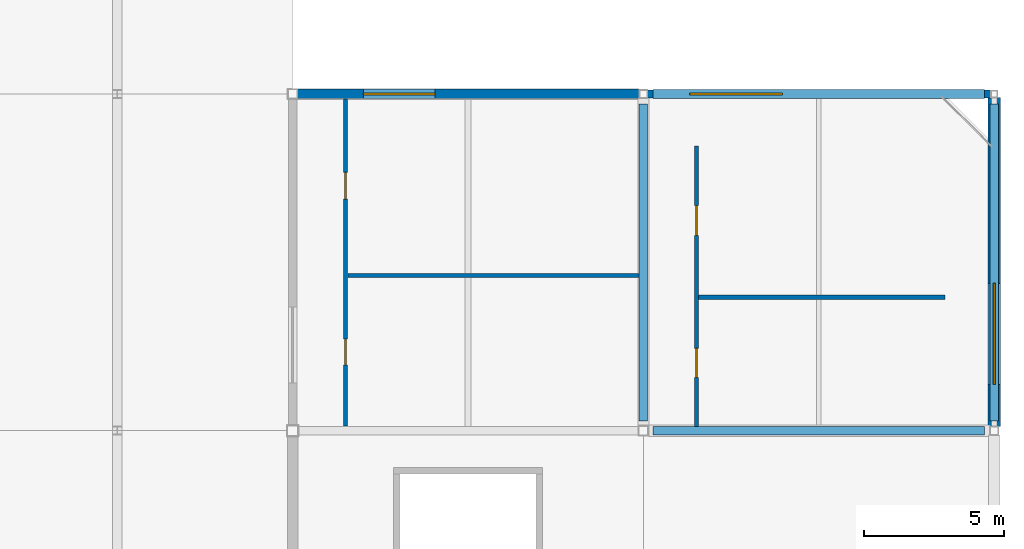
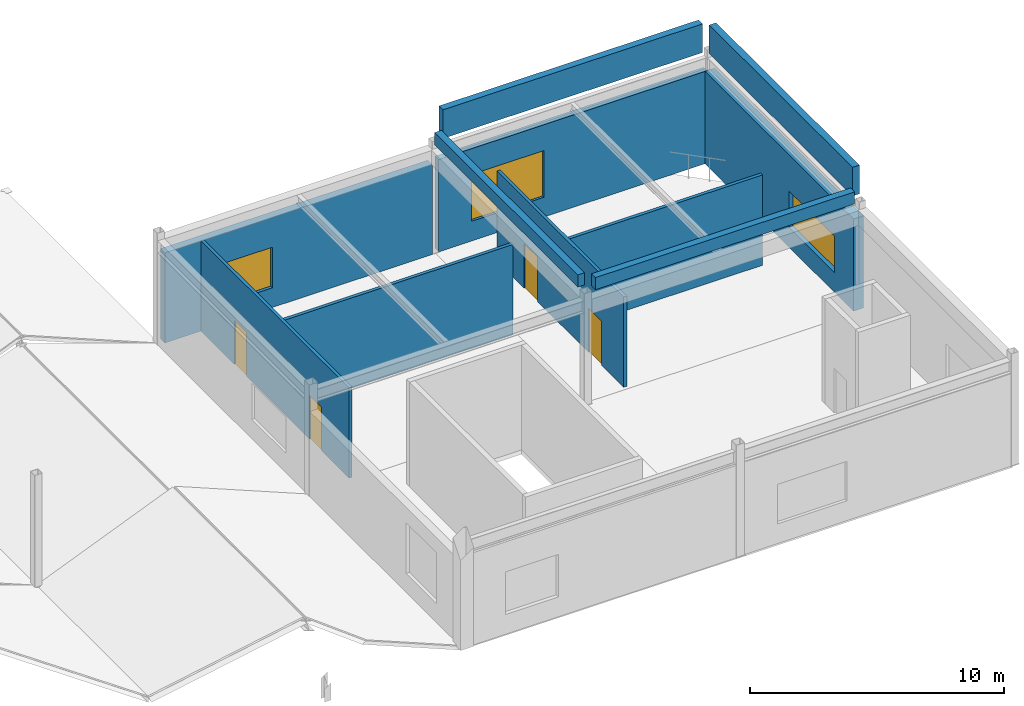
# One storey, part 72 of 76: 11 walls, 4 doors, 3 windows, 7 openings.
"""IFC4 building model written with IfcOpenShell, lengths in metres."""

from ifc_helpers import new_model, si_unit, direction, frame, frame_2d, origin, place, context, subcontext, project, spatial, rectangle, extrude, material, layer, layer_set, type_object, element, fill, save


model = new_model("IFC4")

# Units and contexts
model_context = context("Model", 3, precision=1e-05, world=origin(), true_north=direction((0.0, 1.0)))
body_context = subcontext(model_context, "Body", "Model", "MODEL_VIEW")
ifc_project = project(units=[si_unit("LENGTHUNIT", "METRE"), si_unit("AREAUNIT", "SQUARE_METRE"), si_unit("VOLUMEUNIT", "CUBIC_METRE"), si_unit("PLANEANGLEUNIT", "RADIAN"), si_unit("MASSUNIT", "GRAM", prefix="KILO")], contexts=[model_context])

# Site, building, storey
site_placement = place(None, origin())
site = spatial("IfcSite", under=ifc_project, at=site_placement, CompositionType="ELEMENT")
building_placement = place(site_placement, origin())
building = spatial("IfcBuilding", under=site, at=building_placement, Name="Kazenohara Klinker Stadium", CompositionType="ELEMENT")
storey_placement = place(building_placement, frame((0.0, 0.0, 25.800048828125)))
storey = spatial("IfcBuildingStorey", under=building, at=storey_placement, Name="L05", CompositionType="ELEMENT", Elevation=25.800048828125)

# Wall, opening, window
ifc_material_1 = material(Name="Clinker brick masonry", Category="masonry")
ifc_layer_1 = layer(ifc_material_1, 0.280029296875)
ifc_layer_set_1 = layer_set([ifc_layer_1], Name="Clinker brick masonry")
wall_type_1 = type_object("IfcWallType", Name="WAL-EXT-CB280", PredefinedType="SOLIDWALL", material=ifc_layer_set_1)
wall_1_placement = place(storey_placement, frame((187.654052734375, 156.0, 0.0), z_axis=(0.0, 0.0, 1.0), x_axis=(1.0, 0.0, 0.0)))
wall_1 = element("IfcWall", 1, at=wall_1_placement, inside=storey, type_object=wall_type_1, Name="Clinker brick cavity wall EW06 L05 X15-13", PredefinedType="SOLIDWALL", context=body_context, shape_type="SweptSolid", body=[
    extrude(rectangle(XDim=12.217041015625, YDim=0.280029296875, at=frame_2d((6.1083984375, 0.0))), origin(), (0.0, 0.0, 1.0), 4.43994140625),
])
opening_1_placement = place(wall_1_placement, frame((1.5, 0.0, 0.949951171875)))
opening_1 = element("IfcOpeningElement", 2, at=opening_1_placement, cuts=wall_1, Name="Opening W34", PredefinedType="OPENING", context=body_context, shape_type="SweptSolid", body=[
    extrude(rectangle(XDim=3.300048828125, YDim=2.25, at=frame_2d((1.64990234375, 1.125))), frame((0.0, 0.14990234375, 0.0), z_axis=(0.0, -1.0, 0.0), x_axis=(1.0, 0.0, 0.0)), (0.0, 0.0, 1.0), 0.300048828125),
])
ifc_material_2 = material(Name="Dark bronze aluminium frame and triple glazing", Category="aluminium")
window_type_1 = type_object("IfcWindowType", Name="WIN-AS-34", PartitioningType="SINGLE_PANEL", PredefinedType="WINDOW", material=ifc_material_2)
window_1_placement = place(opening_1_placement, origin())
window_1 = element("IfcWindow", 3, at=window_1_placement, inside=storey, type_object=window_type_1, Name="Horizontal-mullion ladder window W34 L05 X15-13", OverallHeight=2.25, OverallWidth=3.300048828125, PartitioningType="SINGLE_PANEL", PredefinedType="WINDOW", context=body_context, shape_type="SweptSolid", body=[
    extrude(rectangle(XDim=3.300048828125, YDim=2.25, at=frame_2d((1.64990234375, 1.125))), frame((0.0, 0.030029296875, 0.0), z_axis=(0.0, -1.0, 0.0), x_axis=(1.0, 0.0, 0.0)), (0.0, 0.0, 1.0), 0.06005859375),
])
fill(opening_1, window_1)

# Walls
ifc_layer_2 = layer(ifc_material_1, 0.31005859375)
ifc_layer_set_2 = layer_set([ifc_layer_2], Name="Clinker brick masonry")
wall_type_2 = type_object("IfcWallType", Name="WAL-EXT-CB310", PredefinedType="SOLIDWALL", material=ifc_layer_set_2)
wall_2_placement = place(storey_placement, frame((187.85009765625, 144.0, 5.39990234375), z_axis=(0.0, 0.0, 1.0), x_axis=(1.0, 0.0, 0.0)))
element("IfcWall", 4, at=wall_2_placement, inside=storey, type_object=wall_type_2, Name="Turret crown klinker wall EW05 GT3-NE-S", PredefinedType="SOLIDWALL", context=body_context, shape_type="SweptSolid", body=[
    extrude(rectangle(XDim=11.7998046875, YDim=0.31005859375, at=frame_2d((5.89990234375, 0.0))), origin(), (0.0, 0.0, 1.0), 0.580078125),
])
wall_3_placement = place(storey_placement, frame((187.85009765625, 156.0, 5.39990234375), z_axis=(0.0, 0.0, 1.0), x_axis=(1.0, 0.0, 0.0)))
element("IfcWall", 5, at=wall_3_placement, inside=storey, type_object=wall_type_2, Name="Turret crown klinker wall EW05 GT3-NE-N", PredefinedType="SOLIDWALL", context=body_context, shape_type="SweptSolid", body=[
    extrude(rectangle(XDim=11.7998046875, YDim=0.31005859375, at=frame_2d((5.89990234375, 0.0))), origin(), (0.0, 0.0, 1.0), 1.380126953125),
])
wall_4_placement = place(storey_placement, frame((187.5, 144.35009765625, 5.39990234375), z_axis=(0.0, 0.0, 1.0), x_axis=(0.0, 1.0, 0.0)))
element("IfcWall", 6, at=wall_4_placement, inside=storey, type_object=wall_type_2, Name="Turret crown klinker wall EW05 GT3-NE-W", PredefinedType="SOLIDWALL", context=body_context, shape_type="SweptSolid", body=[
    extrude(rectangle(XDim=11.2998046875, YDim=0.31005859375, at=frame_2d((5.64990234375, 0.0))), origin(), (0.0, 0.0, 1.0), 0.580078125),
])
wall_5_placement = place(storey_placement, frame((200.0, 144.35009765625, 5.39990234375), z_axis=(0.0, 0.0, 1.0), x_axis=(0.0, 1.0, 0.0)))
element("IfcWall", 7, at=wall_5_placement, inside=storey, type_object=wall_type_2, Name="Turret crown klinker wall EW05 GT3-NE-E", PredefinedType="SOLIDWALL", context=body_context, shape_type="SweptSolid", body=[
    extrude(rectangle(XDim=11.2998046875, YDim=0.31005859375, at=frame_2d((5.64990234375, 0.0))), origin(), (0.0, 0.0, 1.0), 1.380126953125),
])

# Wall, opening, window
ifc_layer_3 = layer(ifc_material_1, 0.340087890625)
ifc_layer_set_3 = layer_set([ifc_layer_3], Name="Clinker brick masonry")
wall_type_3 = type_object("IfcWallType", Name="WAL-EXT-CB340", PredefinedType="SOLIDWALL", material=ifc_layer_set_3)
wall_6_placement = place(storey_placement, frame((175.178955078125, 156.0, 0.0), z_axis=(0.0, 0.0, 1.0), x_axis=(1.0, 0.0, 0.0)))
wall_6 = element("IfcWall", 8, at=wall_6_placement, inside=storey, type_object=wall_type_3, Name="Clinker brick cavity wall EW04 L05 X14-13", PredefinedType="SOLIDWALL", context=body_context, shape_type="SweptSolid", body=[
    extrude(rectangle(XDim=12.1669921875, YDim=0.340087890625, at=frame_2d((6.08349609375, 0.0))), origin(), (0.0, 0.0, 1.0), 4.33984375),
])
opening_2_placement = place(wall_6_placement, frame((2.341064453125, 0.0, 0.949951171875)))
opening_2 = element("IfcOpeningElement", 9, at=opening_2_placement, cuts=wall_6, Name="Opening W26", PredefinedType="OPENING", context=body_context, shape_type="SweptSolid", body=[
    extrude(rectangle(XDim=2.550048828125, YDim=1.949951171875, at=frame_2d((1.27490234375, 0.97509765625))), frame((0.0, 0.18017578125, 0.0), z_axis=(0.0, -1.0, 0.0), x_axis=(1.0, 0.0, 0.0)), (0.0, 0.0, 1.0), 0.360107421875),
])
window_type_2 = type_object("IfcWindowType", Name="WIN-AS-26", PartitioningType="SINGLE_PANEL", PredefinedType="WINDOW", material=ifc_material_2)
window_2_placement = place(opening_2_placement, origin())
window_2 = element("IfcWindow", 10, at=window_2_placement, inside=storey, type_object=window_type_2, Name="Horizontal-mullion ladder window W26 L05 X14-13", OverallHeight=1.949951171875, OverallWidth=2.550048828125, PartitioningType="SINGLE_PANEL", PredefinedType="WINDOW", context=body_context, shape_type="SweptSolid", body=[
    extrude(rectangle(XDim=2.550048828125, YDim=1.949951171875, at=frame_2d((1.27490234375, 0.97509765625))), frame((0.0, 0.030029296875, 0.0), z_axis=(0.0, -1.0, 0.0), x_axis=(1.0, 0.0, 0.0)), (0.0, 0.0, 1.0), 0.06005859375),
])
fill(opening_2, window_2)

ifc_layer_4 = layer(ifc_material_1, 0.449951171875)
ifc_layer_set_4 = layer_set([ifc_layer_4], Name="Clinker brick masonry")
wall_type_4 = type_object("IfcWallType", Name="WAL-EXT-CB450", PredefinedType="SOLIDWALL", material=ifc_layer_set_4)
wall_7_placement = place(storey_placement, frame((200.0, 144.154052734375, 0.0), z_axis=(0.0, 0.0, 1.0), x_axis=(0.0, 1.0, 0.0)))
wall_7 = element("IfcWall", 11, at=wall_7_placement, inside=storey, type_object=wall_type_4, Name="Clinker brick cavity wall EW01 L05 Y16-12", PredefinedType="SOLIDWALL", context=body_context, shape_type="SweptSolid", body=[
    extrude(rectangle(XDim=11.717041015625, YDim=0.449951171875, at=frame_2d((5.8583984375, 0.0))), origin(), (0.0, 0.0, 1.0), 4.43994140625),
])
opening_3_placement = place(wall_7_placement, frame((1.5, 0.0, 0.949951171875)))
opening_3 = element("IfcOpeningElement", 12, at=opening_3_placement, cuts=wall_7, Name="Opening W35", PredefinedType="OPENING", context=body_context, shape_type="SweptSolid", body=[
    extrude(rectangle(XDim=3.60009765625, YDim=1.75, at=frame_2d((1.800048828125, 0.875))), frame((0.0, 0.23486328125, 0.0), z_axis=(0.0, -1.0, 0.0), x_axis=(1.0, 0.0, 0.0)), (0.0, 0.0, 1.0), 0.469970703125),
])
window_type_3 = type_object("IfcWindowType", Name="WIN-AS-35", PartitioningType="SINGLE_PANEL", PredefinedType="WINDOW", material=ifc_material_2)
window_3_placement = place(opening_3_placement, origin())
window_3 = element("IfcWindow", 13, at=window_3_placement, inside=storey, type_object=window_type_3, Name="Horizontal-mullion ladder window W35 L05 Y16-12", OverallHeight=1.75, OverallWidth=3.60009765625, PartitioningType="SINGLE_PANEL", PredefinedType="WINDOW", context=body_context, shape_type="SweptSolid", body=[
    extrude(rectangle(XDim=3.60009765625, YDim=1.75, at=frame_2d((1.800048828125, 0.875))), frame((0.0, 0.030029296875, 0.0), z_axis=(0.0, -1.0, 0.0), x_axis=(1.0, 0.0, 0.0)), (0.0, 0.0, 1.0), 0.06005859375),
])
fill(opening_3, window_3)

# Wall, openings, doors
ifc_material_3 = material(Name="Fire-rated gypsum board on acoustic studs", Category="gypsum")
ifc_layer_5 = layer(ifc_material_3, 0.139892578125)
ifc_layer_set_5 = layer_set([ifc_layer_5], Name="Fire-rated gypsum board on acoustic studs")
wall_type_5 = type_object("IfcWallType", Name="WAL-INT-P140", PredefinedType="PARTITIONING", material=ifc_layer_set_5)
wall_8_placement = place(storey_placement, frame((176.889892578125, 144.159912109375, 0.0), z_axis=(0.0, 0.0, 1.0), x_axis=(0.0, 1.0, 0.0)))
wall_8 = element("IfcWall", 14, at=wall_8_placement, inside=storey, type_object=wall_type_5, Name="Interior partition wall PT03 SPC-L05-14-12-1-1", PredefinedType="PARTITIONING", context=body_context, shape_type="SweptSolid", body=[
    extrude(rectangle(XDim=11.66796875, YDim=0.139892578125, at=frame_2d((5.833984375, 0.0))), origin(), (0.0, 0.0, 1.0), 4.349853515625),
])
opening_4_placement = place(wall_8_placement, frame((3.106201171875, 0.0, 0.0), z_axis=(0.0, 0.0, 1.0), x_axis=(-1.0, 0.0, 0.0)))
opening_4 = element("IfcOpeningElement", 15, at=opening_4_placement, cuts=wall_8, Name="Opening ID02", PredefinedType="OPENING", context=body_context, shape_type="SweptSolid", body=[
    extrude(rectangle(XDim=0.919921875, YDim=2.10009765625, at=frame_2d((0.4599609375, 1.050048828125))), frame((0.0, 0.080078125, 0.0), z_axis=(0.0, -1.0, 0.0), x_axis=(1.0, 0.0, 0.0)), (0.0, 0.0, 1.0), 0.159912109375),
])
opening_5_placement = place(wall_8_placement, frame((9.041259765625, 0.0, 0.0), z_axis=(0.0, 0.0, 1.0), x_axis=(-1.0, 0.0, 0.0)))
opening_5 = element("IfcOpeningElement", 16, at=opening_5_placement, cuts=wall_8, Name="Opening ID03", PredefinedType="OPENING", context=body_context, shape_type="SweptSolid", body=[
    extrude(rectangle(XDim=0.949951171875, YDim=2.1201171875, at=frame_2d((0.47509765625, 1.06005859375))), frame((0.0, 0.080078125, 0.0), z_axis=(0.0, -1.0, 0.0), x_axis=(1.0, 0.0, 0.0)), (0.0, 0.0, 1.0), 0.159912109375),
])
ifc_material_4 = material(Name="Solid-core Hokkaido oak fire door", Category="wood")
door_type_1 = type_object("IfcDoorType", Name="DR-INT-02", OperationType="NOTDEFINED", PredefinedType="DOOR", material=ifc_material_4)
door_1_placement = place(opening_4_placement, origin())
door_1 = element("IfcDoor", 17, at=door_1_placement, inside=storey, type_object=door_type_1, Name="Interior door ID02 North Scoreboard Video Control Studio L05-1412A", OperationType="SINGLE_SWING_LEFT", OverallHeight=2.10009765625, OverallWidth=0.919921875, PredefinedType="DOOR", context=body_context, shape_type="SweptSolid", body=[
    extrude(rectangle(XDim=0.919921875, YDim=2.10009765625, at=frame_2d((0.4599609375, 1.050048828125))), frame((0.0, 0.02490234375, 0.0), z_axis=(0.0, -1.0, 0.0), x_axis=(1.0, 0.0, 0.0)), (0.0, 0.0, 1.0), 0.050048828125),
])
fill(opening_4, door_1)
door_type_2 = type_object("IfcDoorType", Name="DR-INT-03", OperationType="NOTDEFINED", PredefinedType="DOOR", material=ifc_material_4)
door_2_placement = place(opening_5_placement, origin())
door_2 = element("IfcDoor", 18, at=door_2_placement, inside=storey, type_object=door_type_2, Name="Interior door ID03 Photographer Fibre Uplink Media Studio L05-1412B", OperationType="SINGLE_SWING_RIGHT", OverallHeight=2.1201171875, OverallWidth=0.949951171875, PredefinedType="DOOR", context=body_context, shape_type="SweptSolid", body=[
    extrude(rectangle(XDim=0.949951171875, YDim=2.1201171875, at=frame_2d((0.47509765625, 1.06005859375))), frame((0.0, 0.02490234375, 0.0), z_axis=(0.0, -1.0, 0.0), x_axis=(1.0, 0.0, 0.0)), (0.0, 0.0, 1.0), 0.050048828125),
])
fill(opening_5, door_2)

wall_9_placement = place(storey_placement, frame((189.389892578125, 144.156982421875, 0.0), z_axis=(0.0, 0.0, 1.0), x_axis=(0.0, 1.0, 0.0)))
wall_9 = element("IfcWall", 19, at=wall_9_placement, inside=storey, type_object=wall_type_5, Name="Interior partition wall PT03 SPC-L05-15-12-1-1", PredefinedType="PARTITIONING", context=body_context, shape_type="SweptSolid", body=[
    extrude(rectangle(XDim=9.992919921875, YDim=0.139892578125, at=frame_2d((4.99658203125, 0.0))), origin(), (0.0, 0.0, 1.0), 4.349853515625),
])
opening_6_placement = place(wall_9_placement, frame((2.775634765625, 0.0, 0.0), z_axis=(0.0, 0.0, 1.0), x_axis=(-1.0, 0.0, 0.0)))
opening_6 = element("IfcOpeningElement", 20, at=opening_6_placement, cuts=wall_9, Name="Opening ID06", PredefinedType="OPENING", context=body_context, shape_type="SweptSolid", body=[
    extrude(rectangle(XDim=1.030029296875, YDim=2.1201171875, at=frame_2d((0.51513671875, 1.06005859375))), frame((0.0, 0.080078125, 0.0), z_axis=(0.0, -1.0, 0.0), x_axis=(1.0, 0.0, 0.0)), (0.0, 0.0, 1.0), 0.159912109375),
])
opening_7_placement = place(wall_9_placement, frame((7.86572265625, 0.0, 0.0), z_axis=(0.0, 0.0, 1.0), x_axis=(-1.0, 0.0, 0.0)))
opening_7 = element("IfcOpeningElement", 21, at=opening_7_placement, cuts=wall_9, Name="Opening ID07", PredefinedType="OPENING", context=body_context, shape_type="SweptSolid", body=[
    extrude(rectangle(XDim=1.06005859375, YDim=2.14990234375, at=frame_2d((0.530029296875, 1.074951171875))), frame((0.0, 0.080078125, 0.0), z_axis=(0.0, -1.0, 0.0), x_axis=(1.0, 0.0, 0.0)), (0.0, 0.0, 1.0), 0.159912109375),
])
door_type_3 = type_object("IfcDoorType", Name="DR-INT-06", OperationType="NOTDEFINED", PredefinedType="DOOR", material=ifc_material_4)
door_3_placement = place(opening_6_placement, origin())
door_3 = element("IfcDoor", 22, at=door_3_placement, inside=storey, type_object=door_type_3, Name="Interior door ID06 Post-Match Press Conference Theatre L05-1512A", OperationType="SINGLE_SWING_LEFT", OverallHeight=2.1201171875, OverallWidth=1.030029296875, PredefinedType="DOOR", context=body_context, shape_type="SweptSolid", body=[
    extrude(rectangle(XDim=1.030029296875, YDim=2.1201171875, at=frame_2d((0.51513671875, 1.06005859375))), frame((0.0, 0.02490234375, 0.0), z_axis=(0.0, -1.0, 0.0), x_axis=(1.0, 0.0, 0.0)), (0.0, 0.0, 1.0), 0.050048828125),
])
fill(opening_6, door_3)
door_type_4 = type_object("IfcDoorType", Name="DR-INT-07", OperationType="NOTDEFINED", PredefinedType="DOOR", material=ifc_material_4)
door_4_placement = place(opening_7_placement, origin())
door_4 = element("IfcDoor", 23, at=door_4_placement, inside=storey, type_object=door_type_4, Name="Interior door ID07 Bowl Lighting and Acoustic Control Studio L05-1512B", OperationType="SINGLE_SWING_RIGHT", OverallHeight=2.14990234375, OverallWidth=1.06005859375, PredefinedType="DOOR", context=body_context, shape_type="SweptSolid", body=[
    extrude(rectangle(XDim=1.06005859375, YDim=2.14990234375, at=frame_2d((0.530029296875, 1.074951171875))), frame((0.0, 0.02490234375, 0.0), z_axis=(0.0, -1.0, 0.0), x_axis=(1.0, 0.0, 0.0)), (0.0, 0.0, 1.0), 0.050048828125),
])
fill(opening_7, door_4)

# Walls
ifc_layer_6 = layer(ifc_material_3, 0.14990234375)
ifc_layer_set_6 = layer_set([ifc_layer_6], Name="Fire-rated gypsum board on acoustic studs")
wall_type_6 = type_object("IfcWallType", Name="WAL-INT-P150", PredefinedType="PARTITIONING", material=ifc_layer_set_6)
wall_10_placement = place(storey_placement, frame((176.965087890625, 149.53271484375, 0.0), z_axis=(0.0, 0.0, 1.0), x_axis=(1.0, 0.0, 0.0)))
element("IfcWall", 24, at=wall_10_placement, inside=storey, type_object=wall_type_6, Name="Interior partition wall PT04 SPC-L05-14-12-1-2", PredefinedType="PARTITIONING", context=body_context, shape_type="SweptSolid", body=[
    extrude(rectangle(XDim=10.3779296875, YDim=0.14990234375, at=frame_2d((5.18896484375, 0.0))), origin(), (0.0, 0.0, 1.0), 4.349853515625),
])
wall_11_placement = place(storey_placement, frame((189.465087890625, 148.75537109375, 0.0), z_axis=(0.0, 0.0, 1.0), x_axis=(1.0, 0.0, 0.0)))
element("IfcWall", 25, at=wall_11_placement, inside=storey, type_object=wall_type_6, Name="Interior partition wall PT04 SPC-L05-15-12-1-2", PredefinedType="PARTITIONING", context=body_context, shape_type="SweptSolid", body=[
    extrude(rectangle(XDim=8.784912109375, YDim=0.14990234375, at=frame_2d((4.392578125, 0.0))), origin(), (0.0, 0.0, 1.0), 4.349853515625),
])

save(model, "model.ifc")
